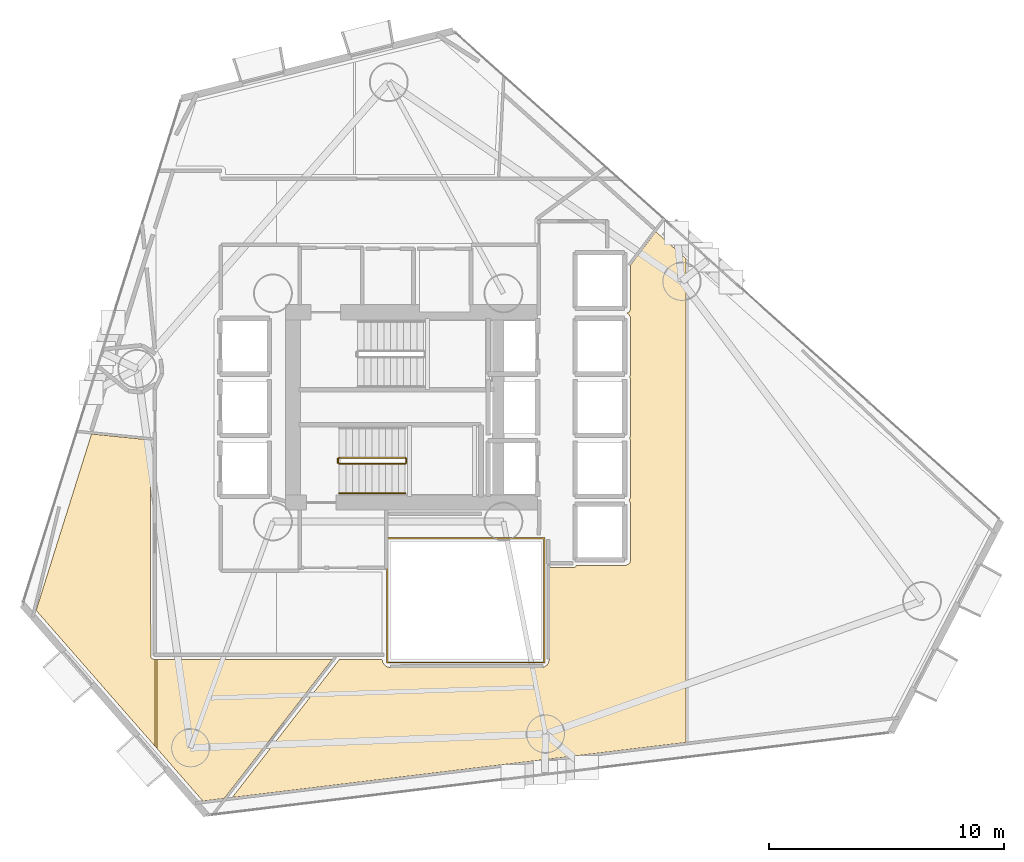
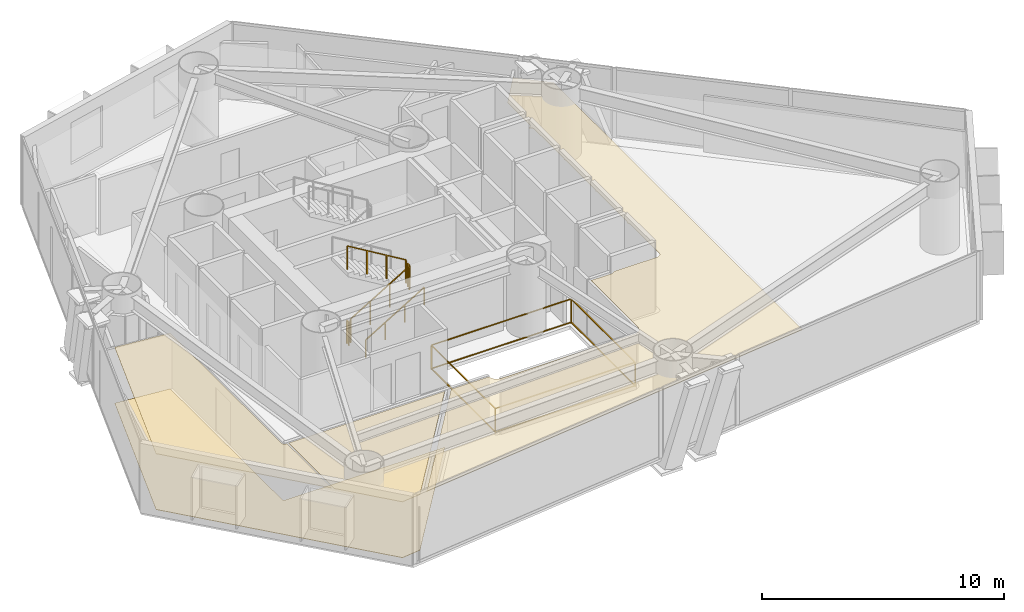
# One storey, part 21 of 24: 6 railings, 4 coverings.
"""IFC4 building model written with IfcOpenShell, lengths in metres."""

from ifc_helpers import new_model, si_unit, direction, frame, origin, origin_2d, place, context, subcontext, project, spatial, polyline, rectangle, outline, extrude, material, layer, layer_set, type_object, element, save


model = new_model("IFC4")

# Units and contexts
model_context = context("Model", 3, precision=1e-05, world=origin(), true_north=direction((0.0, 1.0)))
body_context = subcontext(model_context, "Body", "Model", "MODEL_VIEW")
ifc_project = project(units=[si_unit("LENGTHUNIT", "METRE"), si_unit("AREAUNIT", "SQUARE_METRE"), si_unit("VOLUMEUNIT", "CUBIC_METRE"), si_unit("PLANEANGLEUNIT", "RADIAN"), si_unit("MASSUNIT", "GRAM", prefix="KILO")], contexts=[model_context])

# Site, building, storey
site_placement = place(None, origin())
site = spatial("IfcSite", under=ifc_project, at=site_placement, CompositionType="ELEMENT")
building_placement = place(site_placement, origin())
building = spatial("IfcBuilding", under=site, at=building_placement, Name="Qianvela Tower", CompositionType="ELEMENT")
storey_placement = place(building_placement, frame((0.0, 0.0, 71.0)))
storey = spatial("IfcBuildingStorey", under=building, at=storey_placement, Name="L17", CompositionType="ELEMENT", Elevation=71.0)

# Coverings
ifc_material_1 = material(Name="Perforated Mineral Acoustic Ceiling Tile")
ifc_layer_1 = layer(ifc_material_1, 0.02490234375)
ifc_layer_set_1 = layer_set([ifc_layer_1], Name="Perforated Mineral Acoustic Ceiling Tile")
covering_type_1 = type_object("IfcCoveringType", Name="COV-CEIL-ACOUSTIC-25", PredefinedType="CEILING", material=ifc_layer_set_1)
covering_1_placement = place(storey_placement, frame((0.0, 0.0, 2.81494140625)))
element("IfcCovering", 1, at=covering_1_placement, inside=storey, type_object=covering_type_1, Name="L17 Acoustic Ceiling Bay 1 Graduate Seminar Classroom L17-01", PredefinedType="CEILING", context=body_context, shape_type="SweptSolid", body=[
    extrude(outline(polyline([(23.408203125, 18.09912109375), (23.40869140625, 18.0908203125), (23.409912109375, 18.082763671875), (23.412109375, 18.074951171875), (23.414794921875, 18.067138671875), (23.41845703125, 18.059814453125), (23.4228515625, 18.052978515625), (23.427978515625, 18.04638671875), (23.43359375, 18.040771484375), (23.43994140625, 18.035400390625), (23.44677734375, 18.03076171875), (23.4541015625, 18.02685546875), (23.515869140625, 17.997802734375), (23.52392578125, 17.994384765625), (23.532470703125, 17.991943359375), (23.541259765625, 17.990478515625), (23.550048828125, 17.989990234375), (23.587890625, 17.989990234375), (23.587890625, 14.29296875), (18.531982421875, 20.073486328125), (20.887451171875, 27.5712890625), (23.39013671875, 27.316162109375), (23.408203125, 18.09912109375)])), origin(), (0.0, 0.0, 1.0), 0.025146484375),
])
covering_2_placement = place(storey_placement, frame((0.0, 0.0, 2.81494140625)))
element("IfcCovering", 2, at=covering_2_placement, inside=storey, type_object=covering_type_1, Name="L17 Acoustic Ceiling Bay 2 Graduate Seminar Classroom L17-01", PredefinedType="CEILING", context=body_context, shape_type="SweptSolid", body=[
    extrude(outline(polyline([(31.122802734375, 17.989990234375), (26.527587890625, 12.0751953125), (25.623291015625, 11.9658203125), (23.667724609375, 14.20166015625), (23.667724609375, 17.989990234375), (31.122802734375, 17.989990234375)])), origin(), (0.0, 0.0, 1.0), 0.025146484375),
])
covering_3_placement = place(storey_placement, frame((0.0, 0.0, 2.81494140625)))
element("IfcCovering", 3, at=covering_3_placement, inside=storey, type_object=covering_type_1, Name="L17 Acoustic Ceiling Bay 1 Tutorial Breakout Seminar L17-02", PredefinedType="CEILING", context=body_context, shape_type="SweptSolid", body=[
    extrude(outline(polyline([(33.252197265625, 17.912353515625), (33.25341796875, 17.904296875), (33.25537109375, 17.896240234375), (33.258056640625, 17.888427734375), (33.261474609375, 17.881103515625), (33.31298828125, 17.78466796875), (33.31689453125, 17.77783203125), (33.32177734375, 17.771484375), (33.326904296875, 17.765869140625), (33.332763671875, 17.760498046875), (33.417236328125, 17.691162109375), (33.42431640625, 17.68603515625), (33.431884765625, 17.681640625), (33.440185546875, 17.677978515625), (33.448486328125, 17.675537109375), (33.58056640625, 17.642333984375), (33.5869140625, 17.64111328125), (33.593505859375, 17.640380859375), (33.60009765625, 17.639892578125), (40.081298828125, 17.652099609375), (40.089111328125, 17.652587890625), (40.096923828125, 17.653564453125), (40.1044921875, 17.655517578125), (40.11181640625, 17.658203125), (40.118896484375, 17.66162109375), (40.125732421875, 17.66552734375), (40.260986328125, 17.755859375), (40.267578125, 17.760986328125), (40.27392578125, 17.7666015625), (40.279541015625, 17.773193359375), (40.284423828125, 17.780029296875), (40.28857421875, 17.78759765625), (40.291748046875, 17.79541015625), (40.355224609375, 17.972900390625), (40.357421875, 17.9794921875), (40.35888671875, 17.986328125), (40.359619140625, 17.9931640625), (40.360107421875, 18.0), (40.360107421875, 21.889892578125), (41.367919921875, 21.890380859375), (41.375732421875, 21.890869140625), (41.383544921875, 21.891845703125), (41.39111328125, 21.893798828125), (41.3984375, 21.896484375), (41.405517578125, 21.89990234375), (41.45947265625, 21.9287109375), (41.46630859375, 21.932861328125), (41.472900390625, 21.9375), (41.478759765625, 21.943115234375), (41.48388671875, 21.948974609375), (41.48876953125, 21.955322265625), (41.492919921875, 21.96240234375), (41.49609375, 21.969482421875), (41.498779296875, 21.97705078125), (41.49951171875, 21.97998046875), (43.580078125, 21.97998046875), (43.587890625, 21.98046875), (43.595703125, 21.9814453125), (43.603271484375, 21.9833984375), (43.610595703125, 21.986083984375), (43.61767578125, 21.989501953125), (43.734130859375, 22.0517578125), (43.740966796875, 22.0556640625), (43.747314453125, 22.060302734375), (43.7529296875, 22.065673828125), (43.75830078125, 22.071533203125), (43.762939453125, 22.077880859375), (43.76708984375, 22.08447265625), (43.770263671875, 22.091552734375), (43.77294921875, 22.09912109375), (43.796630859375, 22.1767578125), (43.798583984375, 22.184326171875), (43.799560546875, 22.192138671875), (43.800048828125, 22.199951171875), (43.800048828125, 24.60009765625), (43.7998046875, 24.60693359375), (43.798828125, 24.61376953125), (43.79736328125, 24.620361328125), (43.79541015625, 24.626953125), (43.763427734375, 24.7158203125), (43.760498046875, 24.722900390625), (43.7568359375, 24.72998046875), (43.75244140625, 24.736572265625), (43.74755859375, 24.742431640625), (43.741943359375, 24.748046875), (43.73583984375, 24.753173828125), (43.735107421875, 24.753662109375), (43.7783203125, 24.811767578125), (43.782958984375, 24.81884765625), (43.786865234375, 24.826416015625), (43.789794921875, 24.834228515625), (43.7919921875, 24.84228515625), (43.79345703125, 24.8505859375), (43.7939453125, 24.859130859375), (43.800048828125, 27.2998046875), (43.799560546875, 27.307861328125), (43.79833984375, 27.315673828125), (43.79638671875, 27.323486328125), (43.793701171875, 27.3310546875), (43.7646484375, 27.39990234375), (43.793701171875, 27.468994140625), (43.79638671875, 27.476318359375), (43.79833984375, 27.484130859375), (43.799560546875, 27.491943359375), (43.800048828125, 27.5), (43.800048828125, 29.89990234375), (43.799560546875, 29.907958984375), (43.79833984375, 29.915771484375), (43.79638671875, 29.923583984375), (43.793701171875, 29.93115234375), (43.7646484375, 30.0), (43.793701171875, 30.06884765625), (43.79638671875, 30.076416015625), (43.79833984375, 30.084228515625), (43.799560546875, 30.092041015625), (43.800048828125, 30.10009765625), (43.79736328125, 32.52734375), (43.796875, 32.535888671875), (43.79541015625, 32.54443359375), (43.793212890625, 32.552734375), (43.7900390625, 32.560791015625), (43.785888671875, 32.568359375), (43.7373046875, 32.6494140625), (43.732666015625, 32.656494140625), (43.727294921875, 32.662841796875), (43.72119140625, 32.668701171875), (43.71435546875, 32.674072265625), (43.70703125, 32.678466796875), (43.699462890625, 32.68212890625), (43.645751953125, 32.704345703125), (43.734130859375, 32.751708984375), (43.740966796875, 32.755615234375), (43.747314453125, 32.760498046875), (43.7529296875, 32.765625), (43.75830078125, 32.771484375), (43.762939453125, 32.77783203125), (43.76708984375, 32.784423828125), (43.770263671875, 32.79150390625), (43.77294921875, 32.799072265625), (43.796630859375, 32.876708984375), (43.798583984375, 32.884521484375), (43.799560546875, 32.89208984375), (43.800048828125, 32.89990234375), (43.800048828125, 34.74658203125), (44.87841796875, 36.174072265625), (46.16552734375, 35.023681640625), (46.16552734375, 14.456298828125), (26.868896484375, 12.11669921875), (31.431640625, 17.989990234375), (33.24609375, 17.989990234375), (33.252197265625, 17.912353515625)])), origin(), (0.0, 0.0, 1.0), 0.025146484375),
])
ifc_material_2 = material(Name="Engineered Acoustic Oak Timber Flooring", Category="wood")
ifc_layer_2 = layer(ifc_material_2, 0.02001953125)
ifc_layer_set_2 = layer_set([ifc_layer_2], Name="Engineered Acoustic Oak Timber Flooring")
covering_type_2 = type_object("IfcCoveringType", Name="COV-FLOOR-OAK-20", PredefinedType="FLOORING", material=ifc_layer_set_2)
covering_4_placement = place(storey_placement, origin())
element("IfcCovering", 4, at=covering_4_placement, inside=storey, type_object=covering_type_2, Name="L17 Finish Flooring Graduate Seminar Classroom L17-01", PredefinedType="FLOORING", context=body_context, shape_type="SweptSolid", body=[
    extrude(outline(polyline([(23.39013671875, 27.316162109375), (23.408203125, 18.09912109375), (23.40869140625, 18.0908203125), (23.409912109375, 18.082763671875), (23.412109375, 18.074951171875), (23.414794921875, 18.067138671875), (23.41845703125, 18.059814453125), (23.4228515625, 18.052978515625), (23.427978515625, 18.04638671875), (23.43359375, 18.040771484375), (23.43994140625, 18.035400390625), (23.44677734375, 18.03076171875), (23.4541015625, 18.02685546875), (23.515869140625, 17.997802734375), (23.52392578125, 17.994384765625), (23.532470703125, 17.991943359375), (23.541259765625, 17.990478515625), (23.550048828125, 17.989990234375), (31.122802734375, 17.989990234375), (26.527587890625, 12.0751953125), (25.623291015625, 11.9658203125), (18.531982421875, 20.073486328125), (20.887451171875, 27.5712890625), (23.39013671875, 27.316162109375)])), origin(), (0.0, 0.0, 1.0), 0.02001953125),
])

# Railings
ifc_material_3 = material(Name="Laminated Safety Glass and Stainless Steel 316", Category="steel")
railing_type_1 = type_object("IfcRailingType", Name="RL-ATRIUM-GUARD-1250", PredefinedType="GUARDRAIL", material=ifc_material_3)
railing_1_placement = place(storey_placement, frame((33.4599609375, 17.860107421875, 0.0)))
element("IfcRailing", 5, at=railing_1_placement, inside=storey, type_object=railing_type_1, Name="L17 Atrium Edge Guardrail 1", PredefinedType="GUARDRAIL", context=body_context, shape_type="SweptSolid", body=[
    extrude(rectangle(XDim=0.050048828125, YDim=0.0400390625, at=origin_2d()), frame((0.0, 0.0, 1.22998046875), z_axis=(0.0, 1.0, 0.0), x_axis=(-1.0, 0.0, 0.0)), (0.0, 0.0, 1.0), 5.27978515625),
    extrude(rectangle(XDim=0.050048828125, YDim=0.0400390625, at=origin_2d()), frame((0.0, 0.0, 0.050048828125), z_axis=(0.0, 1.0, 0.0), x_axis=(-1.0, 0.0, 0.0)), (0.0, 0.0, 1.0), 5.27978515625),
    extrude(rectangle(XDim=0.050048828125, YDim=0.0400390625, at=origin_2d()), frame((0.0, 5.27978515625, 1.22998046875), z_axis=(1.0, 0.0, 0.0), x_axis=(0.0, 1.0, 0.0)), (0.0, 0.0, 1.0), 6.679931640625),
    extrude(rectangle(XDim=0.050048828125, YDim=0.0400390625, at=origin_2d()), frame((0.0, 5.27978515625, 0.050048828125), z_axis=(1.0, 0.0, 0.0), x_axis=(0.0, 1.0, 0.0)), (0.0, 0.0, 1.0), 6.679931640625),
    extrude(rectangle(XDim=0.050048828125, YDim=0.0400390625, at=origin_2d()), frame((6.679931640625, 5.27978515625, 1.22998046875), z_axis=(0.0, -1.0, 0.0), x_axis=(1.0, 0.0, 0.0)), (0.0, 0.0, 1.0), 5.27978515625),
    extrude(rectangle(XDim=0.050048828125, YDim=0.0400390625, at=origin_2d()), frame((6.679931640625, 5.27978515625, 0.050048828125), z_axis=(0.0, -1.0, 0.0), x_axis=(1.0, 0.0, 0.0)), (0.0, 0.0, 1.0), 5.27978515625),
    extrude(rectangle(XDim=0.050048828125, YDim=0.0400390625, at=origin_2d()), frame((6.679931640625, 0.0, 1.22998046875), z_axis=(-1.0, 0.0, 0.0), x_axis=(0.0, -1.0, 0.0)), (0.0, 0.0, 1.0), 6.679931640625),
    extrude(rectangle(XDim=0.050048828125, YDim=0.0400390625, at=origin_2d()), frame((6.679931640625, 0.0, 0.050048828125), z_axis=(-1.0, 0.0, 0.0), x_axis=(0.0, -1.0, 0.0)), (0.0, 0.0, 1.0), 6.679931640625),
    extrude(rectangle(XDim=0.050048828125, YDim=0.050048828125, at=origin_2d()), origin(), (0.0, 0.0, 1.0), 1.2099609375),
    extrude(rectangle(XDim=0.050048828125, YDim=0.050048828125, at=origin_2d()), frame((0.0, 5.27978515625, 0.0)), (0.0, 0.0, 1.0), 1.2099609375),
    extrude(rectangle(XDim=0.050048828125, YDim=0.050048828125, at=origin_2d()), frame((6.679931640625, 5.27978515625, 0.0)), (0.0, 0.0, 1.0), 1.2099609375),
    extrude(rectangle(XDim=0.050048828125, YDim=0.050048828125, at=origin_2d()), frame((6.679931640625, 0.0, 0.0)), (0.0, 0.0, 1.0), 1.2099609375),
])
ifc_material_4 = material(Name="Painted Tubular Steel Q355B", Category="steel")
railing_type_2 = type_object("IfcRailingType", Name="RL-STAIR-GUARD-1200", PredefinedType="GUARDRAIL", material=ifc_material_4)
railing_2_placement = place(storey_placement, frame((31.419921875, 26.300048828125, 0.168212890625)))
element("IfcRailing", 6, at=railing_2_placement, inside=storey, type_object=railing_type_2, Name="L17 ST-2 stair guard 1", PredefinedType="GUARDRAIL", context=body_context, shape_type="SweptSolid", body=[
    extrude(rectangle(XDim=0.050048828125, YDim=0.0400390625, at=origin_2d()), frame((0.0, 0.0, 1.179931640625), z_axis=(0.857242210791, 0.0, 0.514913383045), x_axis=(0.0, 1.0, 0.0)), (0.0, 0.0, 1.0), 3.266357421875),
    extrude(rectangle(XDim=0.050048828125, YDim=0.050048828125, at=origin_2d()), origin(), (0.0, 0.0, 1.0), 1.159912109375),
    extrude(rectangle(XDim=0.050048828125, YDim=0.050048828125, at=origin_2d()), frame((0.933349609375, 0.0, 0.560546875)), (0.0, 0.0, 1.0), 1.159912109375),
    extrude(rectangle(XDim=0.050048828125, YDim=0.050048828125, at=origin_2d()), frame((1.86669921875, 0.0, 1.121337890625)), (0.0, 0.0, 1.0), 1.159912109375),
    extrude(rectangle(XDim=0.050048828125, YDim=0.050048828125, at=origin_2d()), frame((2.800048828125, 0.0, 1.681884765625)), (0.0, 0.0, 1.0), 1.159912109375),
])
railing_3_placement = place(storey_placement, frame((34.27001953125, 26.35009765625, 1.85009765625)))
element("IfcRailing", 7, at=railing_3_placement, inside=storey, type_object=railing_type_2, Name="L17 ST-2 stair guard 2", PredefinedType="GUARDRAIL", context=body_context, shape_type="SweptSolid", body=[
    extrude(rectangle(XDim=0.050048828125, YDim=0.0400390625, at=origin_2d()), frame((0.0, 0.0, 1.179931640625), z_axis=(0.0, 1.0, 0.0), x_axis=(-1.0, 0.0, 0.0)), (0.0, 0.0, 1.0), 0.159912109375),
    extrude(rectangle(XDim=0.050048828125, YDim=0.050048828125, at=origin_2d()), origin(), (0.0, 0.0, 1.0), 1.159912109375),
    extrude(rectangle(XDim=0.050048828125, YDim=0.050048828125, at=origin_2d()), frame((0.0, 0.159912109375, 0.0)), (0.0, 0.0, 1.0), 1.159912109375),
])
railing_4_placement = place(storey_placement, frame((34.219970703125, 26.56005859375, 2.01806640625)))
element("IfcRailing", 8, at=railing_4_placement, inside=storey, type_object=railing_type_2, Name="L17 ST-2 stair guard 3", PredefinedType="GUARDRAIL", context=body_context, shape_type="SweptSolid", body=[
    extrude(rectangle(XDim=0.050048828125, YDim=0.0400390625, at=origin_2d()), frame((0.0, 0.0, 1.179931640625), z_axis=(-0.857242210791, 0.0, 0.514913383045), x_axis=(0.0, -1.0, 0.0)), (0.0, 0.0, 1.0), 3.266357421875),
    extrude(rectangle(XDim=0.050048828125, YDim=0.050048828125, at=origin_2d()), origin(), (0.0, 0.0, 1.0), 1.159912109375),
    extrude(rectangle(XDim=0.050048828125, YDim=0.050048828125, at=origin_2d()), frame((-0.933349609375, 0.0, 0.560546875)), (0.0, 0.0, 1.0), 1.159912109375),
    extrude(rectangle(XDim=0.050048828125, YDim=0.050048828125, at=origin_2d()), frame((-1.86669921875, 0.0, 1.121337890625)), (0.0, 0.0, 1.0), 1.159912109375),
    extrude(rectangle(XDim=0.050048828125, YDim=0.050048828125, at=origin_2d()), frame((-2.800048828125, 0.0, 1.681884765625)), (0.0, 0.0, 1.0), 1.159912109375),
])
railing_5_placement = place(storey_placement, frame((31.3701171875, 26.35009765625, 0.0)))
element("IfcRailing", 9, at=railing_5_placement, inside=storey, type_object=railing_type_2, Name="L17 ST-2 stair guard 4", PredefinedType="GUARDRAIL", context=body_context, shape_type="SweptSolid", body=[
    extrude(rectangle(XDim=0.050048828125, YDim=0.0400390625, at=origin_2d()), frame((0.0, 0.0, 1.179931640625), z_axis=(0.0, 1.0, 0.0), x_axis=(-1.0, 0.0, 0.0)), (0.0, 0.0, 1.0), 0.159912109375),
    extrude(rectangle(XDim=0.050048828125, YDim=0.050048828125, at=origin_2d()), origin(), (0.0, 0.0, 1.0), 1.159912109375),
    extrude(rectangle(XDim=0.050048828125, YDim=0.050048828125, at=origin_2d()), frame((0.0, 0.159912109375, 0.0)), (0.0, 0.0, 1.0), 1.159912109375),
])
ifc_material_5 = material(Name="Brushed Stainless Steel 304", Category="steel")
railing_type_3 = type_object("IfcRailingType", Name="RL-STAIR-HANDRAIL-900", PredefinedType="HANDRAIL", material=ifc_material_5)
railing_6_placement = place(storey_placement, frame((31.419921875, 25.050048828125, 0.168212890625)))
element("IfcRailing", 10, at=railing_6_placement, inside=storey, type_object=railing_type_3, Name="L17 ST-2 stair handrail 1", PredefinedType="HANDRAIL", context=body_context, shape_type="SweptSolid", body=[
    extrude(rectangle(XDim=0.050048828125, YDim=0.0400390625, at=origin_2d()), frame((0.0, 0.0, 0.8798828125), z_axis=(0.857242210791, 0.0, 0.514913383045), x_axis=(0.0, 1.0, 0.0)), (0.0, 0.0, 1.0), 3.266357421875),
    extrude(rectangle(XDim=0.050048828125, YDim=0.050048828125, at=origin_2d()), origin(), (0.0, 0.0, 1.0), 0.85986328125),
    extrude(rectangle(XDim=0.050048828125, YDim=0.050048828125, at=origin_2d()), frame((0.933349609375, 0.0, 0.560546875)), (0.0, 0.0, 1.0), 0.85986328125),
    extrude(rectangle(XDim=0.050048828125, YDim=0.050048828125, at=origin_2d()), frame((1.86669921875, 0.0, 1.121337890625)), (0.0, 0.0, 1.0), 0.85986328125),
    extrude(rectangle(XDim=0.050048828125, YDim=0.050048828125, at=origin_2d()), frame((2.800048828125, 0.0, 1.681884765625)), (0.0, 0.0, 1.0), 0.85986328125),
])

save(model, "model.ifc")
